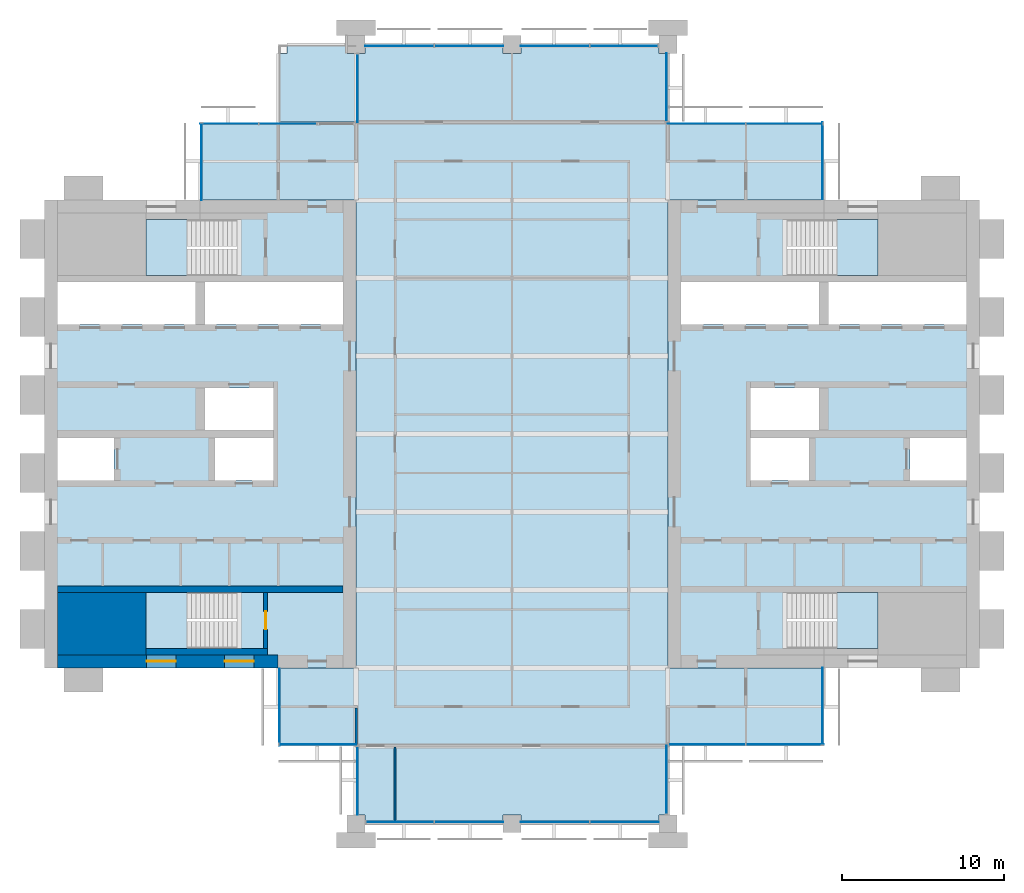
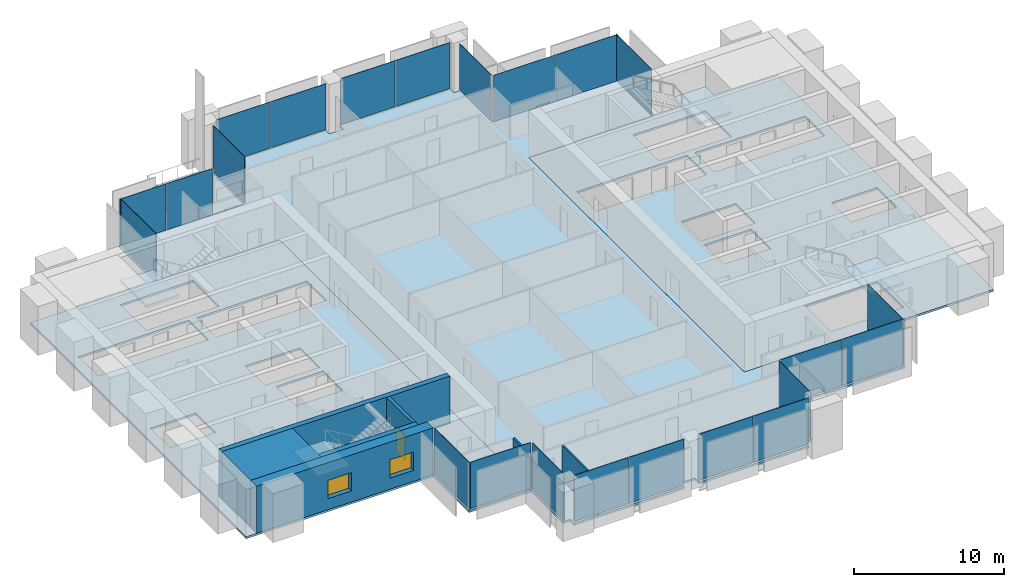
# One storey, part 7 of 13: 23 plates, 8 slabs, 7 walls, 2 windows, 1 door, 3 openings, 18 elements without a shape of their own.
"""IFC4 building model written with IfcOpenShell, lengths in metres."""

from ifc_helpers import new_model, si_unit, direction, frame, frame_2d, origin, origin_2d, place, context, subcontext, project, spatial, polyline, rectangle, outline, extrude, material, layer, layer_set, type_object, element, fill, aggregate, save


model = new_model("IFC4")

# Units and contexts
model_context = context("Model", 3, precision=1e-05, world=origin(), true_north=direction((0.0, 1.0)))
body_context = subcontext(model_context, "Body", "Model", "MODEL_VIEW")
ifc_project = project(units=[si_unit("LENGTHUNIT", "METRE"), si_unit("AREAUNIT", "SQUARE_METRE"), si_unit("VOLUMEUNIT", "CUBIC_METRE"), si_unit("PLANEANGLEUNIT", "RADIAN"), si_unit("MASSUNIT", "GRAM", prefix="KILO")], contexts=[model_context])

# Site, building, storey
site_placement = place(None, origin())
site = spatial("IfcSite", under=ifc_project, at=site_placement, CompositionType="ELEMENT")
building_placement = place(site_placement, origin())
building = spatial("IfcBuilding", under=site, at=building_placement, Name="Baori Bourse Tower", CompositionType="ELEMENT")
storey_placement = place(building_placement, frame((0.0, 0.0, 229.199951171875)))
storey = spatial("IfcBuildingStorey", under=building, at=storey_placement, Name="L50", CompositionType="ELEMENT", Elevation=229.199951171875)

# Curtain wall, plate
ifc_material_1 = material(Name="Pale anodised aluminium", Category="aluminium")
curtain_wall_type_1 = type_object("IfcCurtainWallType", Name="CW2 Curtain wall", PredefinedType="NOTDEFINED", material=ifc_material_1)
curtain_wall_1_placement = place(storey_placement, origin())
curtain_wall_1 = element("IfcCurtainWall", 1, at=curtain_wall_1_placement, inside=storey, type_object=curtain_wall_type_1, Name="Curtain wall CW2 L50 1", PredefinedType="NOTDEFINED")
ifc_material_2 = material(Name="Clear glass", Category="glass")
ifc_layer_1 = layer(ifc_material_2, 0.030029296875)
ifc_layer_set_1 = layer_set([ifc_layer_1], Name="CW2 Curtain wall panel")
plate_type_1 = type_object("IfcPlateType", Name="CW2 Curtain wall panel", PredefinedType="CURTAIN_PANEL", material=ifc_layer_set_1)
plate_1_placement = place(storey_placement, frame((47.909912109375, 40.827392578125, 0.070068359375), z_axis=(0.0, 0.0, 1.0), x_axis=(0.0, 1.0, 0.0)))
plate_1 = element("IfcPlate", 2, at=plate_1_placement, type_object=plate_type_1, Name="Curtain wall CW2 panel", PredefinedType="CURTAIN_PANEL", context=body_context, shape_type="SweptSolid", body=[
    extrude(rectangle(XDim=4.7451171875, YDim=0.030029296875, at=origin_2d()), origin(), (0.0, 0.0, 1.0), 3.77001953125),
])
aggregate(curtain_wall_1, [plate_1])

# Curtain wall, plates
curtain_wall_2_placement = place(storey_placement, origin())
curtain_wall_2 = element("IfcCurtainWall", 3, at=curtain_wall_2_placement, inside=storey, type_object=curtain_wall_type_1, Name="Curtain wall CW2 L50 2", PredefinedType="NOTDEFINED")
plate_2_placement = place(storey_placement, frame((45.586181640625, 43.110107421875, 0.070068359375), z_axis=(0.0, 0.0, 1.0), x_axis=(-1.0, 0.0, 0.0)))
plate_2 = element("IfcPlate", 4, at=plate_2_placement, type_object=plate_type_1, Name="Curtain wall CW2 panel", PredefinedType="CURTAIN_PANEL", context=body_context, shape_type="SweptSolid", body=[
    extrude(rectangle(XDim=4.717529296875, YDim=0.030029296875, at=origin_2d()), origin(), (0.0, 0.0, 1.0), 3.77001953125),
])
plate_3_placement = place(storey_placement, frame((40.7861328125, 43.110107421875, 0.070068359375), z_axis=(0.0, 0.0, 1.0), x_axis=(-1.0, 0.0, 0.0)))
plate_3 = element("IfcPlate", 5, at=plate_3_placement, type_object=plate_type_1, Name="Curtain wall CW2 panel", PredefinedType="CURTAIN_PANEL", context=body_context, shape_type="SweptSolid", body=[
    extrude(rectangle(XDim=4.7724609375, YDim=0.030029296875, at=origin_2d()), origin(), (0.0, 0.0, 1.0), 3.77001953125),
])
aggregate(curtain_wall_2, [plate_2, plate_3])

# Curtain wall, plate
curtain_wall_3_placement = place(storey_placement, origin())
curtain_wall_3 = element("IfcCurtainWall", 6, at=curtain_wall_3_placement, inside=storey, type_object=curtain_wall_type_1, Name="Curtain wall CW2 L50 3", PredefinedType="NOTDEFINED")
plate_4_placement = place(storey_placement, frame((38.31005859375, 45.3525390625, 0.070068359375), z_axis=(0.0, 0.0, 1.0), x_axis=(0.0, 1.0, 0.0)))
plate_4 = element("IfcPlate", 7, at=plate_4_placement, type_object=plate_type_1, Name="Curtain wall CW2 panel", PredefinedType="CURTAIN_PANEL", context=body_context, shape_type="SweptSolid", body=[
    extrude(rectangle(XDim=4.195068359375, YDim=0.030029296875, at=origin_2d()), origin(), (0.0, 0.0, 1.0), 3.77001953125),
])
aggregate(curtain_wall_3, [plate_4])

curtain_wall_4_placement = place(storey_placement, origin())
curtain_wall_4 = element("IfcCurtainWall", 8, at=curtain_wall_4_placement, inside=storey, type_object=curtain_wall_type_1, Name="Curtain wall CW2 L50 5", PredefinedType="NOTDEFINED")
plate_5_placement = place(storey_placement, frame((19.2900390625, 45.297607421875, 0.070068359375), z_axis=(0.0, 0.0, 1.0), x_axis=(0.0, -1.0, 0.0)))
plate_5 = element("IfcPlate", 9, at=plate_5_placement, type_object=plate_type_1, Name="Curtain wall CW2 panel", PredefinedType="CURTAIN_PANEL", context=body_context, shape_type="SweptSolid", body=[
    extrude(rectangle(XDim=4.195068359375, YDim=0.030029296875, at=origin_2d()), origin(), (0.0, 0.0, 1.0), 3.77001953125),
])
aggregate(curtain_wall_4, [plate_5])

# Curtain wall, plates
curtain_wall_5_placement = place(storey_placement, origin())
curtain_wall_5 = element("IfcCurtainWall", 10, at=curtain_wall_5_placement, inside=storey, type_object=curtain_wall_type_1, Name="Curtain wall CW2 L50 6", PredefinedType="NOTDEFINED")
plate_6_placement = place(storey_placement, frame((14.986328125, 43.110107421875, 0.070068359375), z_axis=(0.0, 0.0, 1.0), x_axis=(-1.0, 0.0, 0.0)))
plate_6 = element("IfcPlate", 11, at=plate_6_placement, type_object=plate_type_1, Name="Curtain wall CW2 panel", PredefinedType="CURTAIN_PANEL", context=body_context, shape_type="SweptSolid", body=[
    extrude(rectangle(XDim=3.517578125, YDim=0.030029296875, at=origin_2d()), origin(), (0.0, 0.0, 1.0), 3.77001953125),
])
plate_7_placement = place(storey_placement, frame((11.38623046875, 43.110107421875, 0.070068359375), z_axis=(0.0, 0.0, 1.0), x_axis=(-1.0, 0.0, 0.0)))
plate_7 = element("IfcPlate", 12, at=plate_7_placement, type_object=plate_type_1, Name="Curtain wall CW2 panel", PredefinedType="CURTAIN_PANEL", context=body_context, shape_type="SweptSolid", body=[
    extrude(rectangle(XDim=3.572509765625, YDim=0.030029296875, at=origin_2d()), origin(), (0.0, 0.0, 1.0), 3.77001953125),
])
aggregate(curtain_wall_5, [plate_6, plate_7])

# Curtain wall, plate
curtain_wall_6_placement = place(storey_placement, origin())
curtain_wall_6 = element("IfcCurtainWall", 13, at=curtain_wall_6_placement, inside=storey, type_object=curtain_wall_type_1, Name="Curtain wall CW2 L50 7", PredefinedType="NOTDEFINED")
plate_8_placement = place(storey_placement, frame((9.68994140625, 40.7724609375, 0.070068359375), z_axis=(0.0, 0.0, 1.0), x_axis=(0.0, -1.0, 0.0)))
plate_8 = element("IfcPlate", 14, at=plate_8_placement, type_object=plate_type_1, Name="Curtain wall CW2 panel", PredefinedType="CURTAIN_PANEL", context=body_context, shape_type="SweptSolid", body=[
    extrude(rectangle(XDim=4.7451171875, YDim=0.030029296875, at=origin_2d()), origin(), (0.0, 0.0, 1.0), 3.77001953125),
])
aggregate(curtain_wall_6, [plate_8])

curtain_wall_7_placement = place(storey_placement, origin())
curtain_wall_7 = element("IfcCurtainWall", 15, at=curtain_wall_7_placement, inside=storey, type_object=curtain_wall_type_1, Name="Curtain wall CW2 L50 8", PredefinedType="NOTDEFINED")
plate_9_placement = place(storey_placement, frame((14.489990234375, 7.172607421875, 0.070068359375), z_axis=(0.0, 0.0, 1.0), x_axis=(0.0, -1.0, 0.0)))
plate_9 = element("IfcPlate", 16, at=plate_9_placement, type_object=plate_type_1, Name="Curtain wall CW2 panel", PredefinedType="CURTAIN_PANEL", context=body_context, shape_type="SweptSolid", body=[
    extrude(rectangle(XDim=4.7451171875, YDim=0.030029296875, at=origin_2d()), origin(), (0.0, 0.0, 1.0), 3.77001953125),
])
aggregate(curtain_wall_7, [plate_9])

curtain_wall_8_placement = place(storey_placement, origin())
curtain_wall_8 = element("IfcCurtainWall", 17, at=curtain_wall_8_placement, inside=storey, type_object=curtain_wall_type_1, Name="Curtain wall CW2 L50 9", PredefinedType="NOTDEFINED")
plate_10_placement = place(storey_placement, frame((16.827392578125, 4.889892578125, 0.070068359375), z_axis=(0.0, 0.0, 1.0), x_axis=(1.0, 0.0, 0.0)))
plate_10 = element("IfcPlate", 18, at=plate_10_placement, type_object=plate_type_1, Name="Curtain wall CW2 panel", PredefinedType="CURTAIN_PANEL", context=body_context, shape_type="SweptSolid", body=[
    extrude(rectangle(XDim=4.7451171875, YDim=0.030029296875, at=origin_2d()), origin(), (0.0, 0.0, 1.0), 3.77001953125),
])
aggregate(curtain_wall_8, [plate_10])

curtain_wall_9_placement = place(storey_placement, origin())
curtain_wall_9 = element("IfcCurtainWall", 19, at=curtain_wall_9_placement, inside=storey, type_object=curtain_wall_type_1, Name="Curtain wall CW2 L50 10", PredefinedType="NOTDEFINED")
plate_11_placement = place(storey_placement, frame((19.2900390625, 2.6474609375, 0.070068359375), z_axis=(0.0, 0.0, 1.0), x_axis=(0.0, -1.0, 0.0)))
plate_11 = element("IfcPlate", 20, at=plate_11_placement, type_object=plate_type_1, Name="Curtain wall CW2 panel", PredefinedType="CURTAIN_PANEL", context=body_context, shape_type="SweptSolid", body=[
    extrude(rectangle(XDim=4.195068359375, YDim=0.030029296875, at=origin_2d()), origin(), (0.0, 0.0, 1.0), 3.77001953125),
])
aggregate(curtain_wall_9, [plate_11])

curtain_wall_10_placement = place(storey_placement, origin())
curtain_wall_10 = element("IfcCurtainWall", 21, at=curtain_wall_10_placement, inside=storey, type_object=curtain_wall_type_1, Name="Curtain wall CW2 L50 12", PredefinedType="NOTDEFINED")
plate_12_placement = place(storey_placement, frame((38.31005859375, 2.702392578125, 0.070068359375), z_axis=(0.0, 0.0, 1.0), x_axis=(0.0, 1.0, 0.0)))
plate_12 = element("IfcPlate", 22, at=plate_12_placement, type_object=plate_type_1, Name="Curtain wall CW2 panel", PredefinedType="CURTAIN_PANEL", context=body_context, shape_type="SweptSolid", body=[
    extrude(rectangle(XDim=4.195068359375, YDim=0.030029296875, at=origin_2d()), origin(), (0.0, 0.0, 1.0), 3.77001953125),
])
aggregate(curtain_wall_10, [plate_12])

# Curtain wall, plates
curtain_wall_11_placement = place(storey_placement, origin())
curtain_wall_11 = element("IfcCurtainWall", 23, at=curtain_wall_11_placement, inside=storey, type_object=curtain_wall_type_1, Name="Curtain wall CW2 L50 13", PredefinedType="NOTDEFINED")
plate_13_placement = place(storey_placement, frame((40.813720703125, 4.889892578125, 0.070068359375), z_axis=(0.0, 0.0, 1.0), x_axis=(1.0, 0.0, 0.0)))
plate_13 = element("IfcPlate", 24, at=plate_13_placement, type_object=plate_type_1, Name="Curtain wall CW2 panel", PredefinedType="CURTAIN_PANEL", context=body_context, shape_type="SweptSolid", body=[
    extrude(rectangle(XDim=4.717529296875, YDim=0.030029296875, at=origin_2d()), origin(), (0.0, 0.0, 1.0), 3.77001953125),
])
plate_14_placement = place(storey_placement, frame((45.61376953125, 4.889892578125, 0.070068359375), z_axis=(0.0, 0.0, 1.0), x_axis=(1.0, 0.0, 0.0)))
plate_14 = element("IfcPlate", 25, at=plate_14_placement, type_object=plate_type_1, Name="Curtain wall CW2 panel", PredefinedType="CURTAIN_PANEL", context=body_context, shape_type="SweptSolid", body=[
    extrude(rectangle(XDim=4.7724609375, YDim=0.030029296875, at=origin_2d()), origin(), (0.0, 0.0, 1.0), 3.77001953125),
])
aggregate(curtain_wall_11, [plate_13, plate_14])

# Curtain wall, plate
curtain_wall_12_placement = place(storey_placement, origin())
curtain_wall_12 = element("IfcCurtainWall", 26, at=curtain_wall_12_placement, inside=storey, type_object=curtain_wall_type_1, Name="Curtain wall CW2 L50 14", PredefinedType="NOTDEFINED")
plate_15_placement = place(storey_placement, frame((47.909912109375, 7.2275390625, 0.070068359375), z_axis=(0.0, 0.0, 1.0), x_axis=(0.0, 1.0, 0.0)))
plate_15 = element("IfcPlate", 27, at=plate_15_placement, type_object=plate_type_1, Name="Curtain wall CW2 panel", PredefinedType="CURTAIN_PANEL", context=body_context, shape_type="SweptSolid", body=[
    extrude(rectangle(XDim=4.7451171875, YDim=0.030029296875, at=origin_2d()), origin(), (0.0, 0.0, 1.0), 3.77001953125),
])
aggregate(curtain_wall_12, [plate_15])

# Curtain wall, plates
ifc_material_3 = material(Name="Pale anodised aluminium", Category="aluminium")
curtain_wall_type_2 = type_object("IfcCurtainWallType", Name="CW5 Curtain wall", PredefinedType="NOTDEFINED", material=ifc_material_3)
curtain_wall_13_placement = place(storey_placement, origin())
curtain_wall_13 = element("IfcCurtainWall", 28, at=curtain_wall_13_placement, inside=storey, type_object=curtain_wall_type_2, Name="Curtain wall CW5 L50 4", PredefinedType="NOTDEFINED")
ifc_material_4 = material(Name="Clear glass", Category="glass")
ifc_layer_2 = layer(ifc_material_4, 0.035888671875)
ifc_layer_set_2 = layer_set([ifc_layer_2], Name="CW5 Curtain wall panel")
plate_type_2 = type_object("IfcPlateType", Name="CW5 Curtain wall panel", PredefinedType="CURTAIN_PANEL", material=ifc_layer_set_2)
plate_16_placement = place(storey_placement, frame((35.708740234375, 47.889892578125, 0.085205078125), z_axis=(0.0, 0.0, 1.0), x_axis=(-1.0, 0.0, 0.0)))
plate_16 = element("IfcPlate", 29, at=plate_16_placement, type_object=plate_type_2, Name="Curtain wall CW5 panel", PredefinedType="CURTAIN_PANEL", context=body_context, shape_type="SweptSolid", body=[
    extrude(rectangle(XDim=4.152587890625, YDim=0.035888671875, at=origin_2d()), origin(), (0.0, 0.0, 1.0), 3.7548828125),
])
plate_17_placement = place(storey_placement, frame((31.458740234375, 47.889892578125, 0.085205078125), z_axis=(0.0, 0.0, 1.0), x_axis=(-1.0, 0.0, 0.0)))
plate_17 = element("IfcPlate", 30, at=plate_17_placement, type_object=plate_type_2, Name="Curtain wall CW5 panel", PredefinedType="CURTAIN_PANEL", context=body_context, shape_type="SweptSolid", body=[
    extrude(rectangle(XDim=4.217529296875, YDim=0.035888671875, at=origin_2d()), origin(), (0.0, 0.0, 1.0), 3.7548828125),
])
plate_18_placement = place(storey_placement, frame((26.141357421875, 47.889892578125, 0.085205078125), z_axis=(0.0, 0.0, 1.0), x_axis=(-1.0, 0.0, 0.0)))
plate_18 = element("IfcPlate", 31, at=plate_18_placement, type_object=plate_type_2, Name="Curtain wall CW5 panel", PredefinedType="CURTAIN_PANEL", context=body_context, shape_type="SweptSolid", body=[
    extrude(rectangle(XDim=4.217529296875, YDim=0.035888671875, at=origin_2d()), origin(), (0.0, 0.0, 1.0), 3.7548828125),
])
plate_19_placement = place(storey_placement, frame((21.858642578125, 47.889892578125, 0.085205078125), z_axis=(0.0, 0.0, 1.0), x_axis=(-1.0, 0.0, 0.0)))
plate_19 = element("IfcPlate", 32, at=plate_19_placement, type_object=plate_type_2, Name="Curtain wall CW5 panel", PredefinedType="CURTAIN_PANEL", context=body_context, shape_type="SweptSolid", body=[
    extrude(rectangle(XDim=4.217529296875, YDim=0.035888671875, at=origin_2d()), origin(), (0.0, 0.0, 1.0), 3.7548828125),
])
aggregate(curtain_wall_13, [plate_16, plate_17, plate_18, plate_19])

curtain_wall_14_placement = place(storey_placement, origin())
curtain_wall_14 = element("IfcCurtainWall", 33, at=curtain_wall_14_placement, inside=storey, type_object=curtain_wall_type_2, Name="Curtain wall CW5 L50 11", PredefinedType="NOTDEFINED")
plate_20_placement = place(storey_placement, frame((21.891357421875, 0.110107421875, 0.085205078125), z_axis=(0.0, 0.0, 1.0), x_axis=(1.0, 0.0, 0.0)))
plate_20 = element("IfcPlate", 34, at=plate_20_placement, type_object=plate_type_2, Name="Curtain wall CW5 panel", PredefinedType="CURTAIN_PANEL", context=body_context, shape_type="SweptSolid", body=[
    extrude(rectangle(XDim=4.152587890625, YDim=0.035888671875, at=origin_2d()), origin(), (0.0, 0.0, 1.0), 3.7548828125),
])
plate_21_placement = place(storey_placement, frame((26.141357421875, 0.110107421875, 0.085205078125), z_axis=(0.0, 0.0, 1.0), x_axis=(1.0, 0.0, 0.0)))
plate_21 = element("IfcPlate", 35, at=plate_21_placement, type_object=plate_type_2, Name="Curtain wall CW5 panel", PredefinedType="CURTAIN_PANEL", context=body_context, shape_type="SweptSolid", body=[
    extrude(rectangle(XDim=4.217529296875, YDim=0.035888671875, at=origin_2d()), origin(), (0.0, 0.0, 1.0), 3.7548828125),
])
plate_22_placement = place(storey_placement, frame((31.458740234375, 0.110107421875, 0.085205078125), z_axis=(0.0, 0.0, 1.0), x_axis=(1.0, 0.0, 0.0)))
plate_22 = element("IfcPlate", 36, at=plate_22_placement, type_object=plate_type_2, Name="Curtain wall CW5 panel", PredefinedType="CURTAIN_PANEL", context=body_context, shape_type="SweptSolid", body=[
    extrude(rectangle(XDim=4.217529296875, YDim=0.035888671875, at=origin_2d()), origin(), (0.0, 0.0, 1.0), 3.7548828125),
])
plate_23_placement = place(storey_placement, frame((35.7412109375, 0.110107421875, 0.085205078125), z_axis=(0.0, 0.0, 1.0), x_axis=(1.0, 0.0, 0.0)))
plate_23 = element("IfcPlate", 37, at=plate_23_placement, type_object=plate_type_2, Name="Curtain wall CW5 panel", PredefinedType="CURTAIN_PANEL", context=body_context, shape_type="SweptSolid", body=[
    extrude(rectangle(XDim=4.217529296875, YDim=0.035888671875, at=origin_2d()), origin(), (0.0, 0.0, 1.0), 3.7548828125),
])
aggregate(curtain_wall_14, [plate_20, plate_21, plate_22, plate_23])

# Slabs
ifc_material_5 = material(Name="Concrete f'c 50 MPa", Category="concrete")
ifc_layer_3 = layer(ifc_material_5, 0.159912109375)
ifc_layer_set_3 = layer_set([ifc_layer_3], Name="Core slab 160")
slab_type_1 = type_object("IfcSlabType", Name="Core slab 160", PredefinedType="FLOOR", material=ifc_layer_set_3)
slab_1_placement = place(storey_placement, frame((0.0, 0.0, -0.159912109375)))
element("IfcSlab", 38, at=slab_1_placement, inside=storey, type_object=slab_type_1, Name="Core floor slab W01", PredefinedType="FLOOR", context=body_context, shape_type="SweptSolid", body=[
    extrude(outline(polyline([(19.199951171875, 38.39990234375), (0.0, 38.39990234375), (0.0, 9.60009765625), (19.199951171875, 9.60009765625), (19.199951171875, 38.39990234375)]), holes=[polyline([(9.89990234375, 33.35009765625), (18.39990234375, 33.35009765625), (18.39990234375, 30.75), (9.89990234375, 30.75), (9.89990234375, 33.35009765625)]), polyline([(10.5, 21.14990234375), (10.5, 23.75), (14.10009765625, 23.75), (14.10009765625, 21.14990234375), (10.5, 21.14990234375)]), polyline([(14.10009765625, 24.25), (9.89990234375, 24.25), (9.89990234375, 26.85009765625), (14.10009765625, 26.85009765625), (14.10009765625, 24.25)]), polyline([(6.25, 14.25), (11.84912109375, 14.25), (11.84912109375, 10.800048828125), (6.25, 10.800048828125), (6.25, 14.25)]), polyline([(11.84912109375, 37.199951171875), (11.84912109375, 33.75), (6.25, 33.75), (6.25, 37.199951171875), (11.84912109375, 37.199951171875)]), polyline([(0.800048828125, 30.75), (0.800048828125, 33.35009765625), (9.300048828125, 33.35009765625), (9.300048828125, 30.75), (0.800048828125, 30.75)]), polyline([(4.300048828125, 23.75), (4.300048828125, 21.14990234375), (0.800048828125, 21.14990234375), (0.800048828125, 23.75), (4.300048828125, 23.75)])]), origin(), (0.0, 0.0, 1.0), 0.159912109375),
])
slab_2_placement = place(storey_placement, frame((0.0, 0.0, -0.159912109375)))
element("IfcSlab", 39, at=slab_2_placement, inside=storey, type_object=slab_type_1, Name="Core floor slab E01", PredefinedType="FLOOR", context=body_context, shape_type="SweptSolid", body=[
    extrude(outline(polyline([(57.60009765625, 9.60009765625), (57.60009765625, 38.39990234375), (38.39990234375, 38.39990234375), (38.39990234375, 9.60009765625), (57.60009765625, 9.60009765625)]), holes=[polyline([(48.300048828125, 33.35009765625), (56.800048828125, 33.35009765625), (56.800048828125, 30.75), (48.300048828125, 30.75), (48.300048828125, 33.35009765625)]), polyline([(56.800048828125, 21.14990234375), (53.300048828125, 21.14990234375), (53.300048828125, 23.75), (56.800048828125, 23.75), (56.800048828125, 21.14990234375)]), polyline([(45.750732421875, 14.25), (51.35009765625, 14.25), (51.35009765625, 10.800048828125), (45.750732421875, 10.800048828125), (45.750732421875, 14.25)]), polyline([(51.35009765625, 37.199951171875), (51.35009765625, 33.75), (45.750732421875, 33.75), (45.750732421875, 37.199951171875), (51.35009765625, 37.199951171875)]), polyline([(43.5, 24.25), (43.5, 26.85009765625), (47.699951171875, 26.85009765625), (47.699951171875, 24.25), (43.5, 24.25)]), polyline([(47.699951171875, 33.35009765625), (47.699951171875, 30.75), (39.199951171875, 30.75), (39.199951171875, 33.35009765625), (47.699951171875, 33.35009765625)]), polyline([(43.5, 23.75), (47.10009765625, 23.75), (47.10009765625, 21.14990234375), (43.5, 21.14990234375), (43.5, 23.75)])]), origin(), (0.0, 0.0, 1.0), 0.159912109375),
])

# Stair, slab
ifc_material_6 = material(Name="Concrete f'c 50 MPa", Category="concrete")
stair_type = type_object("IfcStairType", Name="Core stair", PredefinedType="HALF_TURN_STAIR", material=ifc_material_6)
stair_1_placement = place(storey_placement, origin())
stair_1 = element("IfcStair", 40, at=stair_1_placement, inside=storey, type_object=stair_type, Name="L50 Stair WA", PredefinedType="HALF_TURN_STAIR")
ifc_material_7 = material(Name="Concrete f'c 50 MPa", Category="concrete")
slab_type_2 = type_object("IfcSlabType", Name="Core stair landing", PredefinedType="LANDING", material=ifc_material_7)
slab_3_placement = place(storey_placement, frame((0.0, 0.0, 1.800048828125)))
slab_3 = element("IfcSlab", 41, at=slab_3_placement, type_object=slab_type_2, Name="ST1 landing 1", PredefinedType="LANDING", context=body_context, shape_type="SweptSolid", body=[
    extrude(outline(polyline([(8.77001953125, 14.25), (6.25, 14.25), (6.25, 10.800048828125), (8.77001953125, 10.800048828125), (8.77001953125, 14.25)])), origin(), (0.0, 0.0, 1.0), 0.199951171875),
])
aggregate(stair_1, [slab_3])

stair_2_placement = place(storey_placement, origin())
stair_2 = element("IfcStair", 42, at=stair_2_placement, inside=storey, type_object=stair_type, Name="L50 Stair WB", PredefinedType="HALF_TURN_STAIR")
slab_4_placement = place(storey_placement, frame((0.0, 0.0, 1.800048828125)))
slab_4 = element("IfcSlab", 43, at=slab_4_placement, type_object=slab_type_2, Name="ST2 landing 1", PredefinedType="LANDING", context=body_context, shape_type="SweptSolid", body=[
    extrude(outline(polyline([(8.77001953125, 37.199951171875), (6.25, 37.199951171875), (6.25, 33.75), (8.77001953125, 33.75), (8.77001953125, 37.199951171875)])), origin(), (0.0, 0.0, 1.0), 0.199951171875),
])
aggregate(stair_2, [slab_4])

stair_3_placement = place(storey_placement, origin())
stair_3 = element("IfcStair", 44, at=stair_3_placement, inside=storey, type_object=stair_type, Name="L50 Stair EA", PredefinedType="HALF_TURN_STAIR")
slab_5_placement = place(storey_placement, frame((0.0, 0.0, 1.800048828125)))
slab_5 = element("IfcSlab", 45, at=slab_5_placement, type_object=slab_type_2, Name="ST3 landing 1", PredefinedType="LANDING", context=body_context, shape_type="SweptSolid", body=[
    extrude(outline(polyline([(48.830078125, 10.800048828125), (51.35009765625, 10.800048828125), (51.35009765625, 14.25), (48.830078125, 14.25), (48.830078125, 10.800048828125)])), origin(), (0.0, 0.0, 1.0), 0.199951171875),
])
aggregate(stair_3, [slab_5])

stair_4_placement = place(storey_placement, origin())
stair_4 = element("IfcStair", 46, at=stair_4_placement, inside=storey, type_object=stair_type, Name="L50 Stair EB", PredefinedType="HALF_TURN_STAIR")
slab_6_placement = place(storey_placement, frame((0.0, 0.0, 1.800048828125)))
slab_6 = element("IfcSlab", 47, at=slab_6_placement, type_object=slab_type_2, Name="ST4 landing 1", PredefinedType="LANDING", context=body_context, shape_type="SweptSolid", body=[
    extrude(outline(polyline([(48.830078125, 33.75), (51.35009765625, 33.75), (51.35009765625, 37.199951171875), (48.830078125, 37.199951171875), (48.830078125, 33.75)])), origin(), (0.0, 0.0, 1.0), 0.199951171875),
])
aggregate(stair_4, [slab_6])

# Slabs
ifc_material_8 = material(Name="Concrete f'c 40 MPa", Category="concrete")
ifc_layer_4 = layer(ifc_material_8, 0.159912109375)
ifc_layer_set_4 = layer_set([ifc_layer_4], Name="Floor slab 160")
slab_type_3 = type_object("IfcSlabType", Name="Floor slab 160", PredefinedType="FLOOR", material=ifc_layer_set_4)
slab_7_placement = place(storey_placement, frame((0.0, 0.0, -0.159912109375)))
element("IfcSlab", 48, at=slab_7_placement, inside=storey, type_object=slab_type_3, Name="Floor slab L50", PredefinedType="FLOOR", context=body_context, shape_type="SweptSolid", body=[
    extrude(outline(polyline([(19.199951171875, 4.800048828125), (14.39990234375, 4.800048828125), (14.39990234375, 9.60009765625), (19.199951171875, 9.60009765625), (19.199951171875, 38.39990234375), (9.60009765625, 38.39990234375), (9.60009765625, 43.199951171875), (19.199951171875, 43.199951171875), (19.199951171875, 47.449951171875), (19.75, 47.449951171875), (19.75, 48.0), (28.25, 48.0), (28.25, 47.449951171875), (29.35009765625, 47.449951171875), (29.35009765625, 48.0), (37.85009765625, 48.0), (37.85009765625, 47.449951171875), (38.39990234375, 47.449951171875), (38.39990234375, 43.199951171875), (48.0, 43.199951171875), (48.0, 38.39990234375), (38.39990234375, 38.39990234375), (38.39990234375, 9.60009765625), (48.0, 9.60009765625), (48.0, 4.800048828125), (38.39990234375, 4.800048828125), (38.39990234375, 0.550048828125), (37.85009765625, 0.550048828125), (37.85009765625, 0.0), (29.35009765625, 0.0), (29.35009765625, 0.550048828125), (28.25, 0.550048828125), (28.25, 0.0), (19.75, 0.0), (19.75, 0.550048828125), (19.199951171875, 0.550048828125), (19.199951171875, 4.800048828125)])), origin(), (0.0, 0.0, 1.0), 0.159912109375),
])
ifc_material_9 = material(Name="Concrete f'c 40 MPa", Category="concrete")
ifc_layer_5 = layer(ifc_material_9, 0.159912109375)
ifc_layer_set_5 = layer_set([ifc_layer_5], Name="Terrace slab 160")
slab_type_4 = type_object("IfcSlabType", Name="Terrace slab 160", PredefinedType="ROOF", material=ifc_layer_set_5)
slab_8_placement = place(storey_placement, frame((0.0, 0.0, -0.159912109375)))
element("IfcSlab", 49, at=slab_8_placement, inside=storey, type_object=slab_type_4, Name="Terrace slab NW L50", PredefinedType="ROOF", context=body_context, shape_type="SweptSolid", body=[
    extrude(outline(polyline([(19.197021484375, 43.202880859375), (14.403076171875, 43.202880859375), (14.403076171875, 47.449951171875), (14.949951171875, 47.449951171875), (14.949951171875, 47.9970703125), (18.64990234375, 47.9970703125), (18.64990234375, 47.449951171875), (19.197021484375, 47.449951171875), (19.197021484375, 43.202880859375)])), origin(), (0.0, 0.0, 1.0), 0.159912109375),
])

# Wall
ifc_material_10 = material(Name="Concrete f'c 50 MPa", Category="concrete")
wall_type_1 = type_object("IfcWallType", Name="Core corner block f'c 50", PredefinedType="SHEAR", material=ifc_material_10)
wall_1_placement = place(storey_placement, frame((0.800048828125, 12.324951171875, 0.0), z_axis=(0.0, 0.0, 1.0), x_axis=(1.0, 0.0, 0.0)))
element("IfcWall", 50, at=wall_1_placement, inside=storey, type_object=wall_type_1, Name="Core wall W05", PredefinedType="SHEAR", context=body_context, shape_type="SweptSolid", body=[
    extrude(rectangle(XDim=5.449951171875, YDim=3.85009765625, at=frame_2d((2.72509765625, 0.0))), origin(), (0.0, 0.0, 1.0), 3.840087890625),
])

# Wall, openings, windows
ifc_material_11 = material(Name="Concrete f'c 50 MPa", Category="concrete")
ifc_layer_6 = layer(ifc_material_11, 0.800048828125)
ifc_layer_set_6 = layer_set([ifc_layer_6], Name="Core wall 800 f'c 50")
wall_type_2 = type_object("IfcWallType", Name="Core wall 800 f'c 50", PredefinedType="SHEAR", material=ifc_layer_set_6)
wall_2_placement = place(storey_placement, frame((14.39990234375, 10.0, 0.0), z_axis=(0.0, 0.0, 1.0), x_axis=(-1.0, 0.0, 0.0)))
wall_2 = element("IfcWall", 51, at=wall_2_placement, inside=storey, type_object=wall_type_2, Name="Core wall W02", PredefinedType="SHEAR", context=body_context, shape_type="SweptSolid", body=[
    extrude(rectangle(XDim=13.599853515625, YDim=0.800048828125, at=frame_2d((6.7998046875, 0.0))), origin(), (0.0, 0.0, 1.0), 3.840087890625),
])
opening_1_placement = place(wall_2_placement, frame((6.300048828125, 0.0, 0.89990234375)))
opening_1 = element("IfcOpeningElement", 52, at=opening_1_placement, cuts=wall_2, Name="Opening L50-KW103", PredefinedType="OPENING", context=body_context, shape_type="SweptSolid", body=[
    extrude(rectangle(XDim=1.800048828125, YDim=1.5, at=frame_2d((0.89990234375, 0.75))), frame((0.0, 0.409912109375, 0.0), z_axis=(0.0, -1.0, 0.0), x_axis=(1.0, 0.0, 0.0)), (0.0, 0.0, 1.0), 0.820068359375),
])
opening_2_placement = place(wall_2_placement, frame((1.5, 0.0, 0.89990234375)))
opening_2 = element("IfcOpeningElement", 53, at=opening_2_placement, cuts=wall_2, Name="Opening L50-KW104", PredefinedType="OPENING", context=body_context, shape_type="SweptSolid", body=[
    extrude(rectangle(XDim=1.800048828125, YDim=1.5, at=frame_2d((0.89990234375, 0.75))), frame((0.0, 0.409912109375, 0.0), z_axis=(0.0, -1.0, 0.0), x_axis=(1.0, 0.0, 0.0)), (0.0, 0.0, 1.0), 0.820068359375),
])
ifc_material_12 = material(Name="Pale anodised aluminium", Category="aluminium")
window_type = type_object("IfcWindowType", Name="Stair window 1800 x 1500", PartitioningType="SINGLE_PANEL", PredefinedType="WINDOW", material=ifc_material_12)
window_1_placement = place(opening_1_placement, origin())
window_1 = element("IfcWindow", 54, at=window_1_placement, inside=storey, type_object=window_type, Name="Stair window W L50 3", OverallHeight=1.5, OverallWidth=1.800048828125, PartitioningType="SINGLE_PANEL", PredefinedType="WINDOW", context=body_context, shape_type="SweptSolid", body=[
    extrude(rectangle(XDim=1.800048828125, YDim=1.5, at=frame_2d((0.89990234375, 0.75))), frame((0.0, 0.030029296875, 0.0), z_axis=(0.0, -1.0, 0.0), x_axis=(1.0, 0.0, 0.0)), (0.0, 0.0, 1.0), 0.06005859375),
])
fill(opening_1, window_1)
window_2_placement = place(opening_2_placement, origin())
window_2 = element("IfcWindow", 55, at=window_2_placement, inside=storey, type_object=window_type, Name="Stair window W L50 4", OverallHeight=1.5, OverallWidth=1.800048828125, PartitioningType="SINGLE_PANEL", PredefinedType="WINDOW", context=body_context, shape_type="SweptSolid", body=[
    extrude(rectangle(XDim=1.800048828125, YDim=1.5, at=frame_2d((0.89990234375, 0.75))), frame((0.0, 0.030029296875, 0.0), z_axis=(0.0, -1.0, 0.0), x_axis=(1.0, 0.0, 0.0)), (0.0, 0.0, 1.0), 0.06005859375),
])
fill(opening_2, window_2)

# Walls
ifc_material_13 = material(Name="Gypsum board partition")
ifc_layer_7 = layer(ifc_material_13, 0.14990234375)
ifc_layer_set_7 = layer_set([ifc_layer_7], Name="Corridor partition 150")
wall_type_3 = type_object("IfcWallType", Name="Corridor partition 150", PredefinedType="PARTITIONING", material=ifc_layer_set_7)
wall_3_placement = place(storey_placement, frame((19.199951171875, 4.875, 0.0), z_axis=(0.0, 0.0, 1.0), x_axis=(0.0, 1.0, 0.0)))
element("IfcWall", 56, at=wall_3_placement, inside=storey, type_object=wall_type_3, Name="Partition", PredefinedType="PARTITIONING", context=body_context, shape_type="SweptSolid", body=[
    extrude(rectangle(XDim=2.25, YDim=0.14990234375, at=frame_2d((1.125, 0.0))), origin(), (0.0, 0.0, 1.0), 2.849365234375),
])
ifc_material_14 = material(Name="Gypsum board partition")
ifc_layer_8 = layer(ifc_material_14, 0.125)
ifc_layer_set_8 = layer_set([ifc_layer_8], Name="Partition 125")
wall_type_4 = type_object("IfcWallType", Name="Partition 125", PredefinedType="PARTITIONING", material=ifc_layer_set_8)
wall_4_placement = place(storey_placement, frame((21.60009765625, 0.10009765625, 0.0), z_axis=(0.0, 0.0, 1.0), x_axis=(0.0, 1.0, 0.0)))
element("IfcWall", 57, at=wall_4_placement, inside=storey, type_object=wall_type_4, Name="Partition", PredefinedType="PARTITIONING", context=body_context, shape_type="SweptSolid", body=[
    extrude(rectangle(XDim=4.625, YDim=0.125, at=frame_2d((2.3125, 0.0))), origin(), (0.0, 0.0, 1.0), 2.849365234375),
])

# Wall, opening, door
ifc_material_15 = material(Name="Concrete f'c 50 MPa", Category="concrete")
ifc_layer_9 = layer(ifc_material_15, 0.25)
ifc_layer_set_9 = layer_set([ifc_layer_9], Name="Shaft wall 250 f'c 50")
wall_type_5 = type_object("IfcWallType", Name="Shaft wall 250 f'c 50", PredefinedType="SHEAR", material=ifc_layer_set_9)
wall_5_placement = place(storey_placement, frame((13.625, 10.800048828125, 0.0), z_axis=(0.0, 0.0, 1.0), x_axis=(0.0, 1.0, 0.0)))
wall_5 = element("IfcWall", 58, at=wall_5_placement, inside=storey, type_object=wall_type_5, Name="Core wall W07", PredefinedType="SHEAR", context=body_context, shape_type="SweptSolid", body=[
    extrude(rectangle(XDim=3.449951171875, YDim=0.25, at=frame_2d((1.72509765625, 0.0))), origin(), (0.0, 0.0, 1.0), 3.840087890625),
])
opening_3_placement = place(wall_5_placement, frame((1.175048828125, 0.0, 0.0)))
opening_3 = element("IfcOpeningElement", 59, at=opening_3_placement, cuts=wall_5, Name="Opening L50-D101", PredefinedType="OPENING", context=body_context, shape_type="SweptSolid", body=[
    extrude(rectangle(XDim=1.10009765625, YDim=2.10009765625, at=frame_2d((0.550048828125, 1.050048828125))), frame((0.0, 0.135009765625, 0.0), z_axis=(0.0, -1.0, 0.0), x_axis=(1.0, 0.0, 0.0)), (0.0, 0.0, 1.0), 0.27001953125),
])
ifc_material_16 = material(Name="Painted steel door", Category="steel")
door_type = type_object("IfcDoorType", Name="Stair door 1100", OperationType="SINGLE_SWING_LEFT", PredefinedType="DOOR", material=ifc_material_16)
door_placement = place(opening_3_placement, origin())
door = element("IfcDoor", 60, at=door_placement, inside=storey, type_object=door_type, Name="Stair door A W L50", OperationType="SINGLE_SWING_LEFT", OverallHeight=2.10009765625, OverallWidth=1.10009765625, PredefinedType="DOOR", context=body_context, shape_type="SweptSolid", body=[
    extrude(rectangle(XDim=1.10009765625, YDim=2.10009765625, at=frame_2d((0.550048828125, 1.050048828125))), frame((0.0, 0.02490234375, 0.0), z_axis=(0.0, -1.0, 0.0), x_axis=(1.0, 0.0, 0.0)), (0.0, 0.0, 1.0), 0.050048828125),
])
fill(opening_3, door)

# Walls
ifc_material_17 = material(Name="Concrete f'c 50 MPa", Category="concrete")
ifc_layer_10 = layer(ifc_material_17, 0.39990234375)
ifc_layer_set_10 = layer_set([ifc_layer_10], Name="Shaft wall 400 f'c 50")
wall_type_6 = type_object("IfcWallType", Name="Shaft wall 400 f'c 50", PredefinedType="SHEAR", material=ifc_layer_set_10)
wall_6_placement = place(storey_placement, frame((6.25, 10.60009765625, 0.0), z_axis=(0.0, 0.0, 1.0), x_axis=(1.0, 0.0, 0.0)))
element("IfcWall", 61, at=wall_6_placement, inside=storey, type_object=wall_type_6, Name="Core wall W06", PredefinedType="SHEAR", context=body_context, shape_type="SweptSolid", body=[
    extrude(rectangle(XDim=7.5, YDim=0.39990234375, at=frame_2d((3.75, 0.0))), origin(), (0.0, 0.0, 1.0), 3.840087890625),
])
wall_7_placement = place(storey_placement, frame((0.800048828125, 14.449951171875, 0.0), z_axis=(0.0, 0.0, 1.0), x_axis=(1.0, 0.0, 0.0)))
element("IfcWall", 62, at=wall_7_placement, inside=storey, type_object=wall_type_6, Name="Core wall W08", PredefinedType="SHEAR", context=body_context, shape_type="SweptSolid", body=[
    extrude(rectangle(XDim=17.599853515625, YDim=0.39990234375, at=frame_2d((8.7998046875, 0.0))), origin(), (0.0, 0.0, 1.0), 3.840087890625),
])

save(model, "model.ifc")
